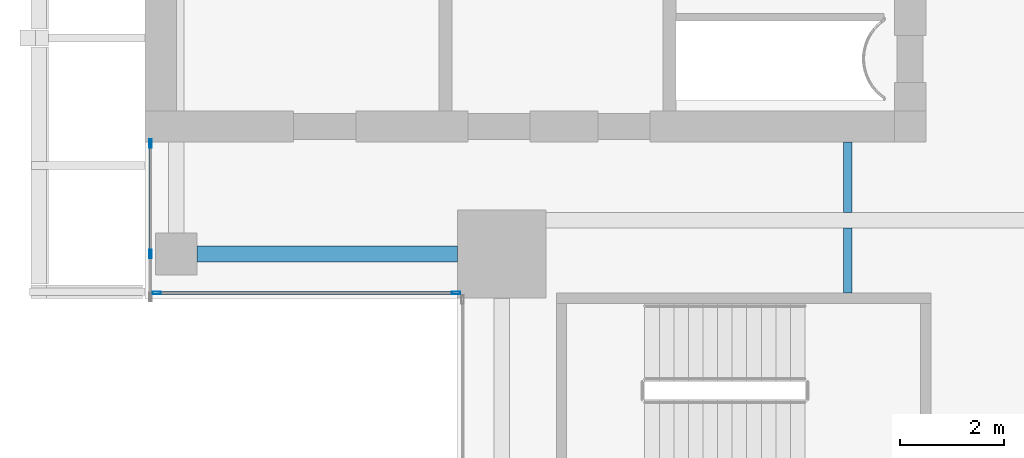
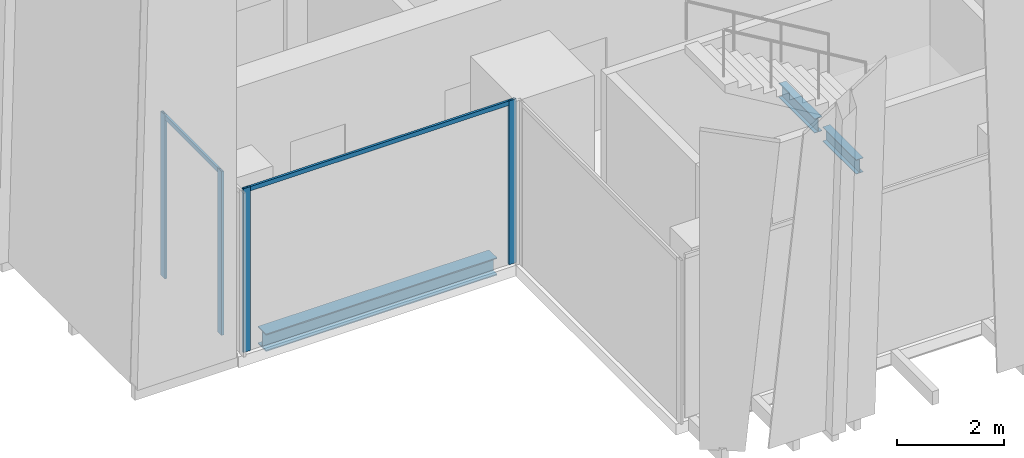
# One storey, part 4 of 33: 6 members, 3 beams, 2 elements without a shape of their own.
"""IFC4 building model written with IfcOpenShell, lengths in metres."""

from ifc_helpers import new_model, si_unit, direction, frame, origin, origin_2d, place, context, subcontext, project, spatial, hollow_rectangle, i_section, extrude, source, transform, mapped, material, material_profile, profile_set, type_object, element, aggregate, save


model = new_model("IFC4")

# Units and contexts
model_context = context("Model", 3, precision=1e-05, world=origin(), true_north=direction((0.0, 1.0)))
body_context = subcontext(model_context, "Body", "Model", "MODEL_VIEW")
ifc_project = project(units=[si_unit("LENGTHUNIT", "METRE"), si_unit("AREAUNIT", "SQUARE_METRE"), si_unit("VOLUMEUNIT", "CUBIC_METRE"), si_unit("PLANEANGLEUNIT", "RADIAN"), si_unit("MASSUNIT", "GRAM", prefix="KILO")], contexts=[model_context])

# Site, building, storey
site_placement = place(None, origin())
site = spatial("IfcSite", under=ifc_project, at=site_placement, CompositionType="ELEMENT")
building_placement = place(site_placement, origin())
building = spatial("IfcBuilding", under=site, at=building_placement, Name="Khomas Fold Tower", CompositionType="ELEMENT")
storey_placement = place(building_placement, frame((0.0, 0.0, 294.199951171875)))
storey = spatial("IfcBuildingStorey", under=building, at=storey_placement, Name="L66", CompositionType="ELEMENT", Elevation=294.199951171875)

# Beams
ifc_material_1 = material(Name="Steel S355", Category="steel")
ifc_material_profile_1 = material_profile(ifc_material_1, i_section(OverallWidth=0.159912109375, OverallDepth=0.330078125, WebThickness=0.007568359375, FlangeThickness=0.011474609375, at=origin_2d()), Name="IPE 330")
ifc_profile_set_1 = profile_set([ifc_material_profile_1], Name="Steel S355")
beam_type_1 = type_object("IfcBeamType", Name="IPE 330 beam JB1", PredefinedType="BEAM", material=ifc_profile_set_1)
shared_shape_1 = source(origin(), body_context, "Body", "SweptSolid", [
    extrude(i_section(OverallWidth=0.159912109375, OverallDepth=0.330078125, WebThickness=0.007568359375, FlangeThickness=0.011474609375, at=origin_2d()), origin(), (0.0, 0.0, 1.0), 1.25),
])
beam_1_placement = place(storey_placement, frame((19.5, 12.10009765625, -0.4150390625), z_axis=(0.0, 1.0, 0.0), x_axis=(-1.0, 0.0, 0.0)))
element("IfcBeam", 1, at=beam_1_placement, inside=storey, type_object=beam_type_1, Name="JB1", PredefinedType="BEAM", context=body_context, shape_type="MappedRepresentation", body=[
    mapped(shared_shape_1, transform((0.0, 0.0, 0.0))),
])
shared_shape_2 = source(origin(), body_context, "Body", "SweptSolid", [
    extrude(i_section(OverallWidth=0.159912109375, OverallDepth=0.330078125, WebThickness=0.007568359375, FlangeThickness=0.011474609375, at=origin_2d()), origin(), (0.0, 0.0, 1.0), 1.35009765625),
])
beam_2_placement = place(storey_placement, frame((19.5, 13.64990234375, -0.4150390625), z_axis=(0.0, 1.0, 0.0), x_axis=(-1.0, 0.0, 0.0)))
element("IfcBeam", 2, at=beam_2_placement, inside=storey, type_object=beam_type_1, Name="JB1", PredefinedType="BEAM", context=body_context, shape_type="MappedRepresentation", body=[
    mapped(shared_shape_2, transform((0.0, 0.0, 0.0))),
])
ifc_material_2 = material(Name="Steel S355", Category="steel")
ifc_material_profile_2 = material_profile(ifc_material_2, i_section(OverallWidth=0.300048828125, OverallDepth=0.39990234375, WebThickness=0.013427734375, FlangeThickness=0.02392578125, at=origin_2d()), Name="HE 400 B")
ifc_profile_set_2 = profile_set([ifc_material_profile_2], Name="Steel S355")
beam_type_2 = type_object("IfcBeamType", Name="HE 400 B spandrel SB5", PredefinedType="SPANDREL", material=ifc_profile_set_2)
shared_shape_3 = source(origin(), body_context, "Body", "SweptSolid", [
    extrude(i_section(OverallWidth=0.300048828125, OverallDepth=0.39990234375, WebThickness=0.013427734375, FlangeThickness=0.02392578125, at=origin_2d()), origin(), (0.0, 0.0, 1.0), 5.0),
])
beam_3_placement = place(storey_placement, frame((7.0, 12.85009765625, -0.449951171875), z_axis=(1.0, 0.0, 0.0), x_axis=(0.0, 1.0, 0.0)))
element("IfcBeam", 3, at=beam_3_placement, inside=storey, type_object=beam_type_2, Name="SB5", PredefinedType="SPANDREL", context=body_context, shape_type="MappedRepresentation", body=[
    mapped(shared_shape_3, transform((0.0, 0.0, 0.0))),
])

# Curtain wall, members
ifc_material_3 = material(Name="Aluminium framed double glazing", Category="aluminium")
curtain_wall_type = type_object("IfcCurtainWallType", Name="SK-Unitised clear-glass wall, upper floors CW3", PredefinedType="NOTDEFINED", material=ifc_material_3)
curtain_wall_1_placement = place(storey_placement, origin())
curtain_wall_1 = element("IfcCurtainWall", 4, at=curtain_wall_1_placement, inside=storey, type_object=curtain_wall_type, Name="CW3 run L66 09-1", PredefinedType="NOTDEFINED")
ifc_material_4 = material(Name="Aluminium", Category="aluminium")
ifc_material_profile_3 = material_profile(ifc_material_4, hollow_rectangle(XDim=0.050048828125, YDim=0.159912109375, WallThickness=0.00390625, at=origin_2d()), Name="SK-Unitised clear-glass wall, upper floors mullion CW3-M")
ifc_profile_set_3 = profile_set([ifc_material_profile_3], Name="Aluminium")
member_type_1 = type_object("IfcMemberType", Name="SK-Unitised clear-glass wall, upper floors mullion CW3-M", PredefinedType="MULLION", material=ifc_profile_set_3)
shared_shape_4 = source(origin(), body_context, "Body", "SweptSolid", [
    extrude(hollow_rectangle(XDim=0.050048828125, YDim=0.159912109375, WallThickness=0.00390625, at=origin_2d()), origin(), (0.0, 0.0, 1.0), 3.75),
])
member_1_placement = place(storey_placement, frame((6.10009765625, 14.97509765625, 0.0), z_axis=(0.0, 0.0, 1.0), x_axis=(1.0, 0.0, 0.0)))
member_1 = element("IfcMember", 5, at=member_1_placement, type_object=member_type_1, Name="CW3 mullion 1", PredefinedType="MULLION", context=body_context, shape_type="MappedRepresentation", body=[
    mapped(shared_shape_4, transform((0.0, 0.0, 0.0))),
])
member_2_placement = place(storey_placement, frame((6.10009765625, 12.85009765625, 0.0), z_axis=(0.0, 0.0, 1.0), x_axis=(1.0, 0.0, 0.0)))
member_2 = element("IfcMember", 6, at=member_2_placement, type_object=member_type_1, Name="CW3 mullion 2", PredefinedType="MULLION", context=body_context, shape_type="MappedRepresentation", body=[
    mapped(shared_shape_4, transform((0.0, 0.0, 0.0))),
])

curtain_wall_2_placement = place(storey_placement, origin())
curtain_wall_2 = element("IfcCurtainWall", 7, at=curtain_wall_2_placement, inside=storey, type_object=curtain_wall_type, Name="CW3 corner return L66 10", PredefinedType="NOTDEFINED")
member_3_placement = place(storey_placement, frame((6.22509765625, 12.10009765625, 0.0), z_axis=(0.0, 0.0, 1.0), x_axis=(0.0, 1.0, 0.0)))
member_3 = element("IfcMember", 8, at=member_3_placement, type_object=member_type_1, Name="CW3 mullion 1", PredefinedType="MULLION", context=body_context, shape_type="MappedRepresentation", body=[
    mapped(shared_shape_4, transform((0.0, 0.0, 0.0))),
])
member_4_placement = place(storey_placement, frame((11.97509765625, 12.10009765625, 0.0), z_axis=(0.0, 0.0, 1.0), x_axis=(0.0, 1.0, 0.0)))
member_4 = element("IfcMember", 9, at=member_4_placement, type_object=member_type_1, Name="CW3 mullion 2", PredefinedType="MULLION", context=body_context, shape_type="MappedRepresentation", body=[
    mapped(shared_shape_4, transform((0.0, 0.0, 0.0))),
])
ifc_material_5 = material(Name="Aluminium", Category="aluminium")
ifc_material_profile_4 = material_profile(ifc_material_5, hollow_rectangle(XDim=0.050048828125, YDim=0.10009765625, WallThickness=0.00390625, at=origin_2d()), Name="SK-Unitised clear-glass wall, upper floors transom CW3-T")
ifc_profile_set_4 = profile_set([ifc_material_profile_4], Name="Aluminium")
member_type_2 = type_object("IfcMemberType", Name="SK-Unitised clear-glass wall, upper floors transom CW3-T", PredefinedType="USERDEFINED", material=ifc_profile_set_4)
shared_shape_5 = source(origin(), body_context, "Body", "SweptSolid", [
    extrude(hollow_rectangle(XDim=0.050048828125, YDim=0.10009765625, WallThickness=0.00390625, at=origin_2d()), origin(), (0.0, 0.0, 1.0), 5.699951171875),
])
member_5_placement = place(storey_placement, frame((6.25, 12.10009765625, 3.699951171875), z_axis=(1.0, 0.0, 0.0), x_axis=(0.0, 1.0, 0.0)))
member_5 = element("IfcMember", 10, at=member_5_placement, type_object=member_type_2, Name="CW3 transom 1", ObjectType="TRANSOM", PredefinedType="USERDEFINED", context=body_context, shape_type="MappedRepresentation", body=[
    mapped(shared_shape_5, transform((0.0, 0.0, 0.0))),
])
aggregate(curtain_wall_2, [member_3, member_4, member_5])

# Member
shared_shape_6 = source(origin(), body_context, "Body", "SweptSolid", [
    extrude(hollow_rectangle(XDim=0.050048828125, YDim=0.10009765625, WallThickness=0.00390625, at=origin_2d()), origin(), (0.0, 0.0, 1.0), 2.074951171875),
])
member_6_placement = place(storey_placement, frame((6.10009765625, 14.949951171875, 3.699951171875), z_axis=(0.0, -1.0, 0.0), x_axis=(1.0, 0.0, 0.0)))
member_6 = element("IfcMember", 11, at=member_6_placement, type_object=member_type_2, Name="CW3 transom 1", ObjectType="TRANSOM", PredefinedType="USERDEFINED", context=body_context, shape_type="MappedRepresentation", body=[
    mapped(shared_shape_6, transform((0.0, 0.0, 0.0))),
])

aggregate(curtain_wall_1, [member_1, member_2, member_6])

save(model, "model.ifc")
